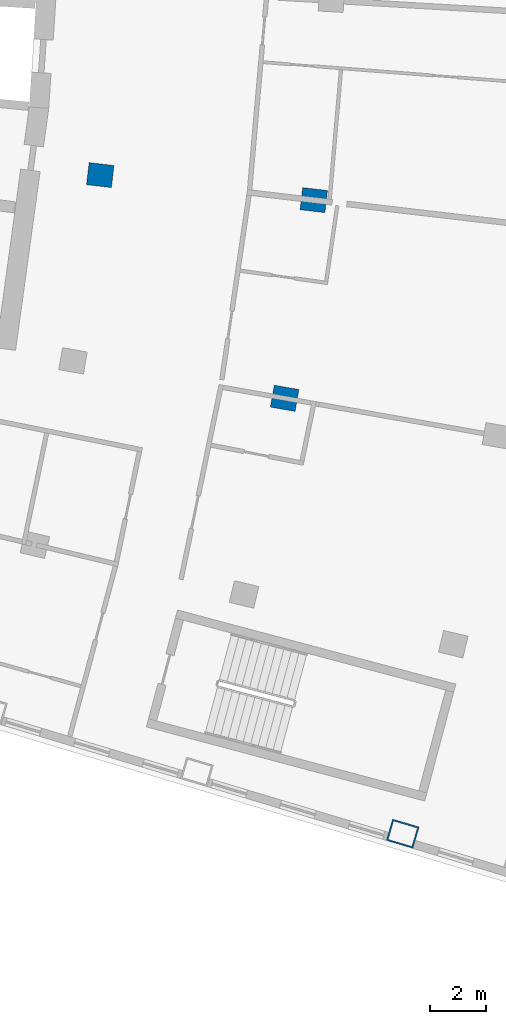
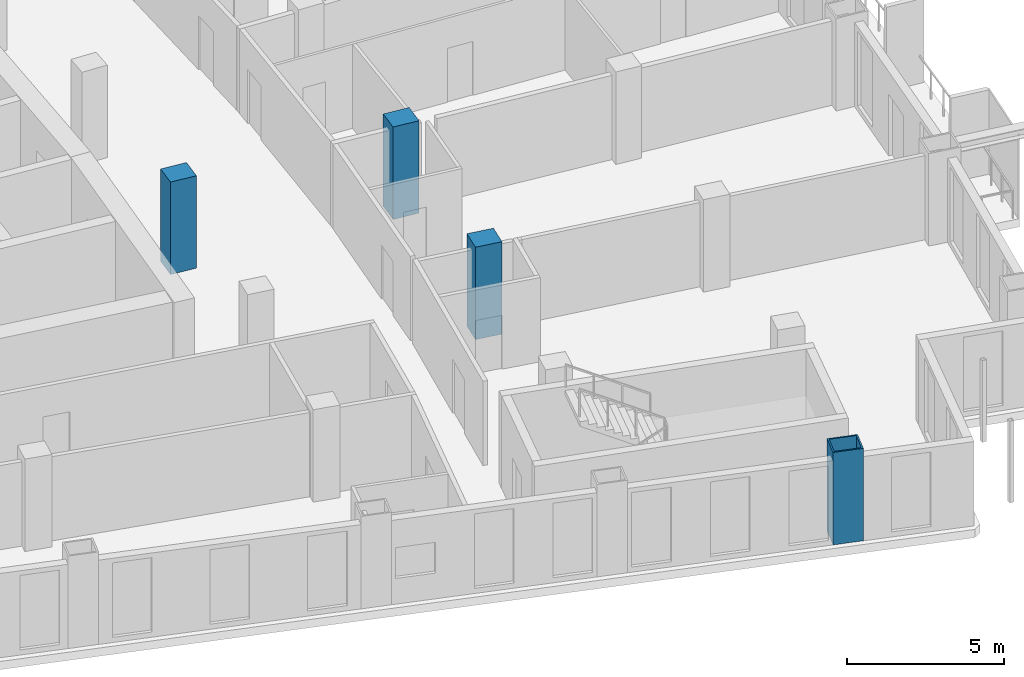
# One storey, part 4 of 20: 4 columns.
"""IFC4 building model written with IfcOpenShell, lengths in metres."""

from ifc_helpers import new_model, si_unit, direction, frame, origin, origin_2d, place, context, subcontext, project, spatial, rectangle, hollow_rectangle, extrude, material, material_profile, profile_set, type_object, element, save


model = new_model("IFC4")

# Units and contexts
model_context = context("Model", 3, precision=1e-05, world=origin(), true_north=direction((0.0, 1.0)))
body_context = subcontext(model_context, "Body", "Model", "MODEL_VIEW")
ifc_project = project(units=[si_unit("LENGTHUNIT", "METRE"), si_unit("AREAUNIT", "SQUARE_METRE"), si_unit("VOLUMEUNIT", "CUBIC_METRE"), si_unit("PLANEANGLEUNIT", "RADIAN"), si_unit("MASSUNIT", "GRAM", prefix="KILO")], contexts=[model_context])

# Site, building, storey
site_placement = place(None, origin())
site = spatial("IfcSite", under=ifc_project, at=site_placement, CompositionType="ELEMENT")
building_placement = place(site_placement, origin())
building = spatial("IfcBuilding", under=site, at=building_placement, Name="Alderwake Tower", CompositionType="ELEMENT")
storey_placement = place(building_placement, frame((0.0, 0.0, 178.39990234375)))
storey = spatial("IfcBuildingStorey", under=building, at=storey_placement, Name="L44", CompositionType="ELEMENT", Elevation=178.39990234375)

# Columns
ifc_material_1 = material(Name="Steel ASTM A572 Grade 50 concrete filled C70/85", Category="concrete")
ifc_material_profile_1 = material_profile(ifc_material_1, hollow_rectangle(XDim=0.800048828125, YDim=1.0, WallThickness=0.054931640625, at=origin_2d()), Name="BOX 1000X800X55")
ifc_profile_set_1 = profile_set([ifc_material_profile_1], Name="Steel ASTM A572 Grade 50 concrete filled C70/85")
column_type_1 = type_object("IfcColumnType", Name="End column Z3", PredefinedType="COLUMN", material=ifc_profile_set_1)
column_placement = place(storey_placement, frame((45.89404296875, 23.82958984375, 0.0), z_axis=(0.0, 0.0, 1.0), x_axis=(0.283168465256, 0.959070185276, 0.0)))
element("IfcColumn", 1, at=column_placement, inside=storey, type_object=column_type_1, Name="Column R02-C4", PredefinedType="COLUMN", context=body_context, shape_type="SweptSolid", body=[
    extrude(hollow_rectangle(XDim=0.800048828125, YDim=1.0, WallThickness=0.054931640625, at=origin_2d()), origin(), (0.0, 0.0, 1.0), 3.60009765625),
])
ifc_material_2 = material(Name="Concrete C70/85", Category="concrete")
ifc_material_profile_2 = material_profile(ifc_material_2, rectangle(XDim=0.800048828125, YDim=0.89990234375, at=origin_2d()), Name="RC 900X800")
ifc_profile_set_2 = profile_set([ifc_material_profile_2], Name="Concrete C70/85")
column_type_2 = type_object("IfcColumnType", Name="Interior column Z3", PredefinedType="COLUMN", material=ifc_profile_set_2)
for number, where, z_axis, x_axis, name in (
    (2, (41.646484375, 39.49169921875, 0.0), (0.0, 0.0, 1.0), (0.174108800747, 0.984726421654, 0.0), "Column R04-C3"),
    (3, (35.0126953125, 47.5205078125, 0.0), (0.0, 0.0, 1.0), (0.116402054316, 0.993202175668, 0.0), "Column R05-C2"),
    (4, (42.693603515625, 46.62060546875, 0.0), (0.0, 0.0, 1.0), (0.116402054316, 0.993202175668, 0.0), "Column R05-C3"),
):
    element("IfcColumn", number, at=place(storey_placement, frame(where, z_axis=z_axis, x_axis=x_axis)), inside=storey, type_object=column_type_2, Name=name, PredefinedType="COLUMN", context=body_context, shape_type="SweptSolid", body=[
        extrude(rectangle(XDim=0.800048828125, YDim=0.89990234375, at=origin_2d()), origin(), (0.0, 0.0, 1.0), 3.60009765625),
    ])

save(model, "model.ifc")
